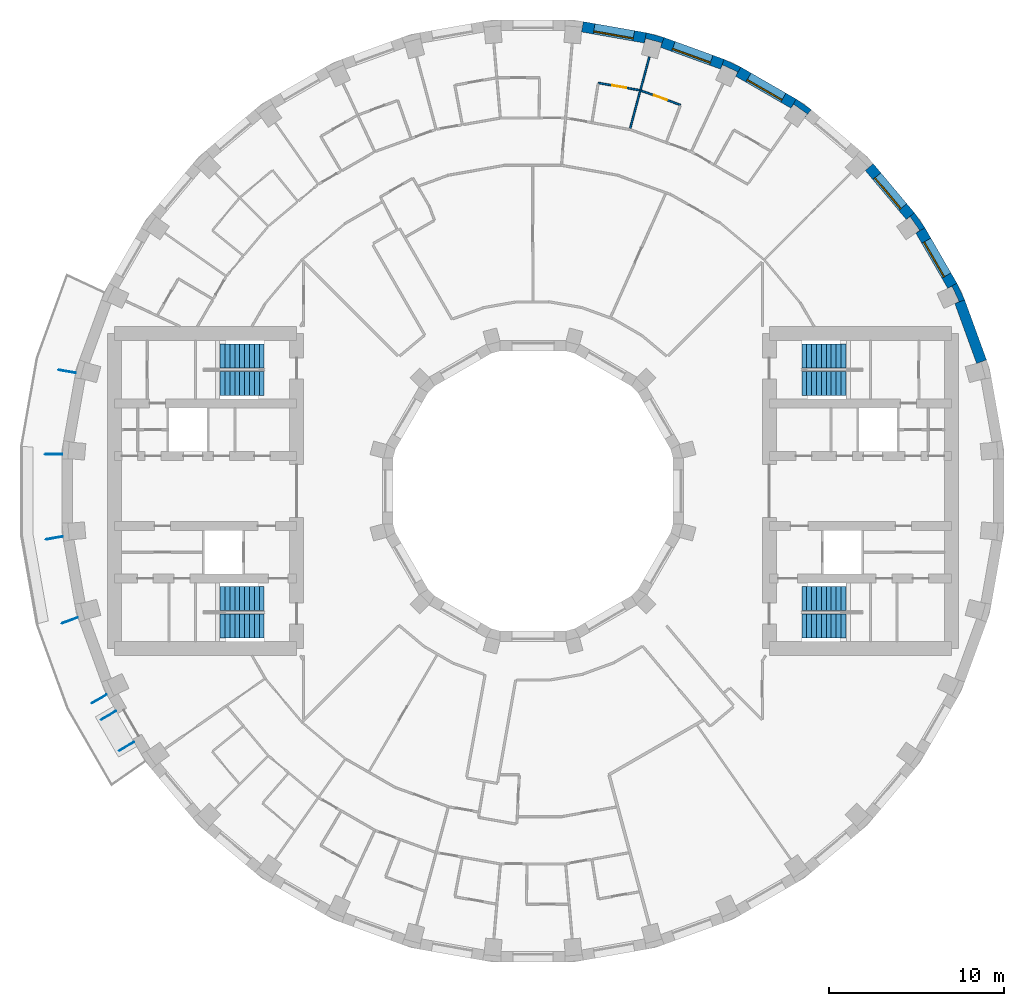
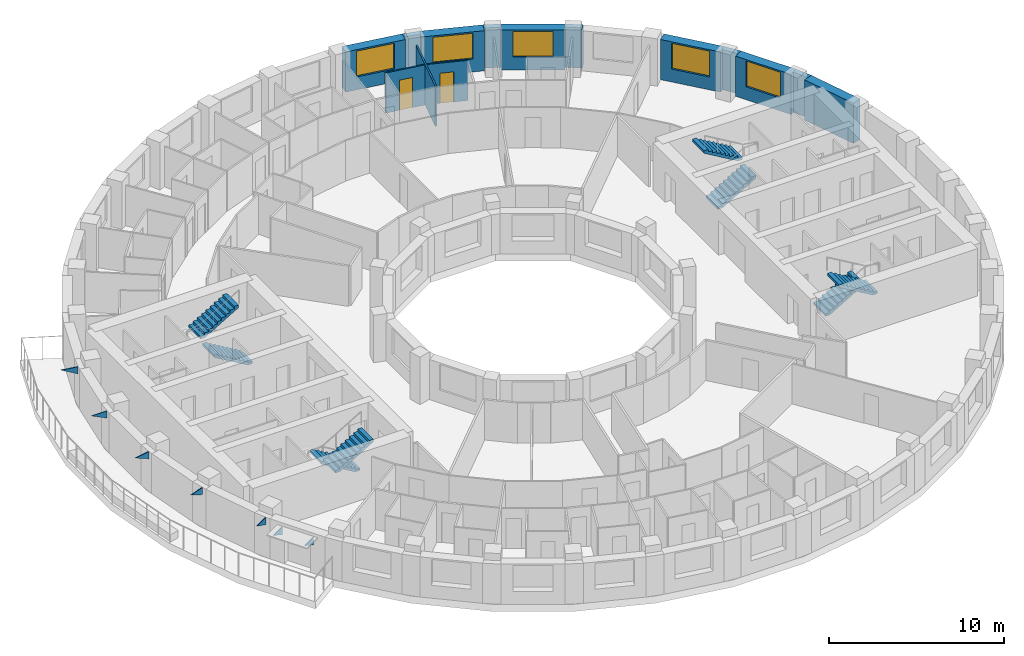
# One storey, part 11 of 12: 14 walls, 8 stair flights, 7 discrete accessories, 5 windows, 2 doors, 7 openings, 4 elements without a shape of their own.
"""IFC4 building model written with IfcOpenShell, lengths in metres."""

import ifcopenshell
import ifcopenshell.guid

model = None  # the IFC model being written
_history = None  # IfcOwnerHistory: only IFC2X3 demands one
_inside = {}  # id of a spatial element -> (the spatial element, [elements in it])
_under = {}  # id of a project, library or spatial element -> (it, [spatial elements below it])
_declared = {}  # id of a project -> (the project, [libraries it declares])
_typed = {}  # id of a type object -> (the type object, [elements of that type])
_made_of = {}  # id of a material, layer set ... -> (it, [elements and type objects made of it])


def new_model(schema):
    """Start an empty IFC model of exactly this schema.

    Asked for "IFC4X3", IfcOpenShell would pick the latest addendum, in which some entities
    have other attributes; the version numbers below select the first issue.
    IFC2X3 requires an IfcOwnerHistory on every rooted entity: one is made here for all.
    """
    global model, _history
    if schema == "IFC4X3":
        model = ifcopenshell.file(schema_version=(4, 3, 0, 0))
    else:
        model = ifcopenshell.file(schema=schema)
    _inside.clear()
    _under.clear()
    _declared.clear()
    _typed.clear()
    _made_of.clear()
    _history = None
    if model.schema == "IFC2X3":
        org = make("IfcOrganization", Name="unknown")
        user = make(
            "IfcPersonAndOrganization",
            ThePerson=make("IfcPerson", FamilyName="unknown"),
            TheOrganization=org,
        )
        app = make(
            "IfcApplication",
            ApplicationDeveloper=org,
            Version="unknown",
            ApplicationFullName="unknown",
            ApplicationIdentifier="unknown",
        )
        _history = make(
            "IfcOwnerHistory",
            OwningUser=user,
            OwningApplication=app,
            ChangeAction="ADDED",
            CreationDate=0,
        )
    return model


def make(cls, **values):
    """One entity of the class cls with the attributes given. An attribute that is None is left unset."""
    return model.create_entity(
        cls, **{name: value for name, value in values.items() if value is not None}
    )


def rooted(cls, **values):
    """An entity with a GlobalId (a new one), such as an element, a storey or a relation."""
    return make(cls, GlobalId=ifcopenshell.guid.new(), OwnerHistory=_history, **values)


def si_unit(unit_type, name, prefix=None):
    """IfcSIUnit, for example si_unit("LENGTHUNIT", "METRE", prefix="MILLI")."""
    return make("IfcSIUnit", UnitType=unit_type, Prefix=prefix, Name=name)


def assignment(units):
    """IfcUnitAssignment: the units of a project."""
    return None if units is None else make("IfcUnitAssignment", Units=units)


def point(xyz):
    """IfcCartesianPoint."""
    return None if xyz is None else make("IfcCartesianPoint", Coordinates=xyz)


def direction(xyz):
    """IfcDirection."""
    return None if xyz is None else make("IfcDirection", DirectionRatios=xyz)


def frame(location, z_axis=None, x_axis=None):
    """IfcAxis2Placement3D, a coordinate frame: its origin and axes. An axis left out is left unset."""
    return make(
        "IfcAxis2Placement3D",
        Location=point(location),
        Axis=direction(z_axis),
        RefDirection=direction(x_axis),
    )


def frame_2d(location, x_axis=None):
    """IfcAxis2Placement2D, a coordinate frame in the plane: its origin and x axis."""
    return make(
        "IfcAxis2Placement2D", Location=point(location), RefDirection=direction(x_axis)
    )


def origin():
    """The frame at (0, 0, 0) with its axes left unset."""
    return frame((0.0, 0.0, 0.0))


def place(relative_to, where):
    """IfcLocalPlacement: puts the frame where relative to a parent placement (None: the world)."""
    return make(
        "IfcLocalPlacement", PlacementRelTo=relative_to, RelativePlacement=where
    )


def context(
    kind, dimensions, precision=None, world=None, true_north=None, identifier=None
):
    """IfcGeometricRepresentationContext, for example the 3D "Model" context."""
    return make(
        "IfcGeometricRepresentationContext",
        ContextIdentifier=identifier,
        ContextType=kind,
        CoordinateSpaceDimension=dimensions,
        Precision=precision,
        WorldCoordinateSystem=world,
        TrueNorth=true_north,
    )


def subcontext(parent, identifier, kind, view, scale=None):
    """IfcGeometricRepresentationSubContext, for example "Body" below "Model"."""
    return make(
        "IfcGeometricRepresentationSubContext",
        ContextIdentifier=identifier,
        ContextType=kind,
        ParentContext=parent,
        TargetScale=scale,
        TargetView=view,
    )


def project(units=None, contexts=None):
    """IfcProject with its units and contexts."""
    return rooted(
        "IfcProject",
        Name="project",
        RepresentationContexts=contexts,
        UnitsInContext=assignment(units),
    )


def spatial(cls, under=None, at=None, **own):
    """A site, building, storey or space (cls), placed at a placement, below another one or the project."""
    s = rooted(cls, ObjectPlacement=at, **own)
    if under is not None:
        _under.setdefault(under.id(), (under, []))[1].append(s)
    return s


def polyline(points):
    """IfcPolyline through the points."""
    return make("IfcPolyline", Points=[point(p) for p in points])


def profile(cls, at=None, kind="AREA", **sizes):
    """A parametric profile (cls). Its sizes go by their IFC names, for example OverallWidth=200.0."""
    return make(cls, ProfileType=kind, Position=at, **sizes)


def rectangle(**sizes):
    """IfcRectangleProfileDef."""
    return profile("IfcRectangleProfileDef", **sizes)


def outline(outer, holes=None, kind="AREA"):
    """IfcArbitraryClosedProfileDef: a profile drawn as a closed curve; with holes, ...WithVoids."""
    if holes is None:
        return make("IfcArbitraryClosedProfileDef", ProfileType=kind, OuterCurve=outer)
    return make(
        "IfcArbitraryProfileDefWithVoids",
        ProfileType=kind,
        OuterCurve=outer,
        InnerCurves=holes,
    )


def extrude(swept, where, along, depth):
    """IfcExtrudedAreaSolid: the profile swept, set in the frame where, extruded along a direction by depth."""
    return make(
        "IfcExtrudedAreaSolid",
        SweptArea=swept,
        Position=where,
        ExtrudedDirection=direction(along),
        Depth=depth,
    )


def shape(context_of_items, identifier, shape_type, items):
    """IfcShapeRepresentation: the items that make up one representation, for example the "Body"."""
    return make(
        "IfcShapeRepresentation",
        ContextOfItems=context_of_items,
        RepresentationIdentifier=identifier,
        RepresentationType=shape_type,
        Items=items,
    )


def material(Name=None, Category=None):
    """IfcMaterial."""
    return make("IfcMaterial", Name=Name, Category=Category)


def layer(
    of_material, thickness, ventilated=None, Name=None, Category=None, Priority=None
):
    """IfcMaterialLayer: one layer of a wall or slab, of a material (None: an air gap)."""
    return make(
        "IfcMaterialLayer",
        Material=of_material,
        LayerThickness=thickness,
        IsVentilated=ventilated,
        Name=Name,
        Category=Category,
        Priority=Priority,
    )


def layer_set(layers, Name=None):
    """IfcMaterialLayerSet."""
    return make("IfcMaterialLayerSet", MaterialLayers=layers, LayerSetName=Name)


def made_of(thing, what):
    """Note that an element or type object is made of a material, layer set ...; save() writes the relation."""
    if what is not None:
        _made_of.setdefault(what.id(), (what, []))[1].append(thing)
    return thing


def type_object(cls, material=None, **own):
    """A type object (cls), such as IfcWallType, which elements share."""
    return made_of(rooted(cls, **own), material)


def element(
    cls,
    number,
    at=None,
    inside=None,
    cuts=None,
    type_object=None,
    material=None,
    context=None,
    identifier="Body",
    shape_type=None,
    held_by="IfcProductDefinitionShape",
    body=None,
    shapes=None,
    **own,
):
    """One element of the class cls, such as IfcWall. Its Tag is "e" and its number.

    at: its placement. inside: the storey or other place that contains it. cuts: it is an
    opening in that element (IfcRelVoidsElement). A single representation is given by context,
    identifier, shape_type and body (its items); several are given by shapes. held_by: the class
    of the entity that holds the representations. save() writes the other relations.
    """
    e = rooted(cls, Tag="e%d" % number, ObjectPlacement=at, **own)
    if body is not None:
        shapes = [shape(context, identifier, shape_type, body)]
    if shapes is not None:
        e.Representation = make(held_by, Representations=shapes)
    if inside is not None:
        _inside.setdefault(inside.id(), (inside, []))[1].append(e)
    if cuts is not None:
        rooted(
            "IfcRelVoidsElement", RelatingBuildingElement=cuts, RelatedOpeningElement=e
        )
    if type_object is not None:
        _typed.setdefault(type_object.id(), (type_object, []))[1].append(e)
    return made_of(e, material)


def fill(opening, filler):
    """IfcRelFillsElement: the door or window that sits in an opening."""
    return rooted(
        "IfcRelFillsElement",
        RelatingOpeningElement=opening,
        RelatedBuildingElement=filler,
    )


def aggregate(whole, parts):
    """IfcRelAggregates: a whole, such as a stair, and the parts it consists of."""
    return rooted("IfcRelAggregates", RelatingObject=whole, RelatedObjects=parts)


def save(model, path):
    """Write the relations noted so far, then the file.

    IfcRelAggregates (storeys below a building ...), IfcRelContainedInSpatialStructure (elements
    in a storey), IfcRelDefinesByType, IfcRelAssociatesMaterial and IfcRelDeclares: one each for
    every whole, place, type object, material and project.
    """
    for whole, parts in _under.values():
        aggregate(whole, parts)
    for where, things in _inside.values():
        rooted(
            "IfcRelContainedInSpatialStructure",
            RelatedElements=things,
            RelatingStructure=where,
        )
    for kind, things in _typed.values():
        rooted("IfcRelDefinesByType", RelatedObjects=things, RelatingType=kind)
    for what, things in _made_of.values():
        rooted("IfcRelAssociatesMaterial", RelatedObjects=things, RelatingMaterial=what)
    for by, libraries in _declared.values():
        rooted("IfcRelDeclares", RelatingContext=by, RelatedDefinitions=libraries)
    model.write(path)


model = new_model("IFC4")

# Units and contexts
model_context = context("Model", 3, precision=1e-05, world=origin(), true_north=direction((0.0, 1.0)))
body_context = subcontext(model_context, "Body", "Model", "MODEL_VIEW")
ifc_project = project(units=[si_unit("LENGTHUNIT", "METRE"), si_unit("AREAUNIT", "SQUARE_METRE"), si_unit("VOLUMEUNIT", "CUBIC_METRE"), si_unit("PLANEANGLEUNIT", "RADIAN"), si_unit("MASSUNIT", "GRAM", prefix="KILO")], contexts=[model_context])

# Site, building, storey
site_placement = place(None, origin())
site = spatial("IfcSite", under=ifc_project, at=site_placement, CompositionType="ELEMENT")
building_placement = place(site_placement, origin())
building = spatial("IfcBuilding", under=site, at=building_placement, Name="Saqina Gate Tower", CompositionType="ELEMENT")
storey_placement = place(building_placement, frame((0.0, 0.0, 111.699951171875)))
storey = spatial("IfcBuildingStorey", under=building, at=storey_placement, Name="L31", CompositionType="ELEMENT", Elevation=111.699951171875)

# Walls
ifc_material_1 = material(Name="Brick masonry (buff)", Category="masonry")
wall_type_1 = type_object("IfcWallType", Name="BRICK PIER COPING BUFF", PredefinedType="SOLIDWALL", material=ifc_material_1)
wall_1_placement = place(storey_placement, origin())
element("IfcWall", 1, at=wall_1_placement, inside=storey, type_object=wall_type_1, Name="Pier cap L31 column 3", PredefinedType="SOLIDWALL", context=body_context, shape_type="SweptSolid", body=[
    extrude(outline(polyline([(24.6513671875, 10.913330078125), (24.205810546875, 11.869140625), (23.68603515625, 11.569091796875), (23.9296875, 11.6826171875), (24.331298828125, 10.82177734375), (24.08740234375, 10.7080078125), (24.6513671875, 10.913330078125)])), origin(), (0.0, 0.0, 1.0), 2.800048828125),
])
wall_2_placement = place(storey_placement, origin())
element("IfcWall", 2, at=wall_2_placement, inside=storey, type_object=wall_type_1, Name="Pier cap L31 column 4", PredefinedType="SOLIDWALL", context=body_context, shape_type="SweptSolid", body=[
    extrude(outline(polyline([(21.77685546875, 15.89208984375), (21.317138671875, 15.50634765625), (21.53759765625, 15.66064453125), (22.08251953125, 14.88232421875), (21.862060546875, 14.728271484375), (22.3818359375, 15.0283203125), (21.77685546875, 15.89208984375)])), origin(), (0.0, 0.0, 1.0), 2.800048828125),
])
wall_3_placement = place(storey_placement, origin())
element("IfcWall", 3, at=wall_3_placement, inside=storey, type_object=wall_type_1, Name="Pier cap L31 column 6", PredefinedType="SOLIDWALL", context=body_context, shape_type="SweptSolid", body=[
    extrude(outline(polyline([(15.0283203125, 22.3818359375), (14.728271484375, 21.862060546875), (14.88232421875, 22.08251953125), (15.66064453125, 21.53759765625), (15.50634765625, 21.317138671875), (15.89208984375, 21.77685546875), (15.0283203125, 22.3818359375)])), origin(), (0.0, 0.0, 1.0), 2.800048828125),
])
wall_4_placement = place(storey_placement, origin())
element("IfcWall", 4, at=wall_4_placement, inside=storey, type_object=wall_type_1, Name="Pier cap L31 column 7", PredefinedType="SOLIDWALL", context=body_context, shape_type="SweptSolid", body=[
    extrude(outline(polyline([(10.913330078125, 24.6513671875), (10.7080078125, 24.08740234375), (10.82177734375, 24.331298828125), (11.6826171875, 23.9296875), (11.569091796875, 23.68603515625), (11.869140625, 24.205810546875), (10.913330078125, 24.6513671875)])), origin(), (0.0, 0.0, 1.0), 2.800048828125),
])
wall_5_placement = place(storey_placement, origin())
element("IfcWall", 5, at=wall_5_placement, inside=storey, type_object=wall_type_1, Name="Pier cap L31 column 8", PredefinedType="SOLIDWALL", context=body_context, shape_type="SweptSolid", body=[
    extrude(outline(polyline([(7.485595703125, 25.89892578125), (6.466796875, 26.171875), (6.36279296875, 25.5810546875), (6.43212890625, 25.8408203125), (7.349853515625, 25.5947265625), (7.2802734375, 25.335205078125), (7.485595703125, 25.89892578125)])), origin(), (0.0, 0.0, 1.0), 2.800048828125),
])

# Wall, opening, window
ifc_material_2 = material(Name="Brick masonry (buff)", Category="masonry")
ifc_layer_1 = layer(ifc_material_2, 0.60009765625)
ifc_layer_set_1 = layer_set([ifc_layer_1], Name="FW-BRICK-BUFF")
wall_type_2 = type_object("IfcWallType", Name="FW-BRICK-BUFF", PredefinedType="SOLIDWALL", material=ifc_layer_set_1)
wall_6_placement = place(storey_placement, frame((23.94580078125, 11.718994140625, 0.0), z_axis=(0.0, 0.0, 1.0), x_axis=(-0.499954196102, 0.866051847062, 0.0)))
wall_6 = element("IfcWall", 6, at=wall_6_placement, inside=storey, type_object=wall_type_2, Name="Facade wall L31 facet 3", PredefinedType="SOLIDWALL", context=body_context, shape_type="SweptSolid", body=[
    extrude(rectangle(XDim=3.647705078125, YDim=0.60009765625, at=frame_2d((1.82373046875, 0.0))), origin(), (0.0, 0.0, 1.0), 2.800048828125),
])
opening_1_placement = place(wall_6_placement, frame((0.673828125, 0.0, 0.89990234375)))
opening_1 = element("IfcOpeningElement", 7, at=opening_1_placement, cuts=wall_6, Name="Opening G09-W01", PredefinedType="OPENING", context=body_context, shape_type="SweptSolid", body=[
    extrude(rectangle(XDim=2.300048828125, YDim=1.800048828125, at=frame_2d((1.14990234375, 0.89990234375))), frame((0.0, 0.31201171875, 0.0), z_axis=(0.0, -1.0, 0.0), x_axis=(1.0, 0.0, 0.0)), (0.0, 0.0, 1.0), 0.6240234375),
])
ifc_material_3 = material(Name="Aluminium glazing", Category="aluminium")
window_type = type_object("IfcWindowType", Name="WN-B", PartitioningType="SINGLE_PANEL", PredefinedType="WINDOW", material=ifc_material_3)
window_1_placement = place(opening_1_placement, origin())
window_1 = element("IfcWindow", 8, at=window_1_placement, inside=storey, type_object=window_type, Name="Window L31 facet 3", OverallHeight=1.800048828125, OverallWidth=2.300048828125, PartitioningType="SINGLE_PANEL", PredefinedType="WINDOW", context=body_context, shape_type="SweptSolid", body=[
    extrude(rectangle(XDim=2.300048828125, YDim=1.800048828125, at=frame_2d((1.14990234375, 0.89990234375))), frame((0.0, 0.179931640625, 0.0), z_axis=(0.0, -1.0, 0.0), x_axis=(1.0, 0.0, 0.0)), (0.0, 0.0, 1.0), 0.06005859375),
])
fill(opening_1, window_1)

wall_7_placement = place(storey_placement, frame((21.547119140625, 15.69921875, 0.0), z_axis=(0.0, 0.0, 1.0), x_axis=(-0.642774476932, 0.766055462616, 0.0)))
wall_7 = element("IfcWall", 9, at=wall_7_placement, inside=storey, type_object=wall_type_2, Name="Facade wall L31 facet 4", PredefinedType="SOLIDWALL", context=body_context, shape_type="SweptSolid", body=[
    extrude(rectangle(XDim=3.647705078125, YDim=0.60009765625, at=frame_2d((1.82373046875, 0.0))), origin(), (0.0, 0.0, 1.0), 2.800048828125),
])
opening_2_placement = place(wall_7_placement, frame((0.673828125, 0.0, 0.89990234375)))
opening_2 = element("IfcOpeningElement", 10, at=opening_2_placement, cuts=wall_7, Name="Opening G09-W02", PredefinedType="OPENING", context=body_context, shape_type="SweptSolid", body=[
    extrude(rectangle(XDim=2.300048828125, YDim=1.800048828125, at=frame_2d((1.14990234375, 0.89990234375))), frame((0.0, 0.31201171875, 0.0), z_axis=(0.0, -1.0, 0.0), x_axis=(1.0, 0.0, 0.0)), (0.0, 0.0, 1.0), 0.6240234375),
])
window_2_placement = place(opening_2_placement, origin())
window_2 = element("IfcWindow", 11, at=window_2_placement, inside=storey, type_object=window_type, Name="Window L31 facet 4", OverallHeight=1.800048828125, OverallWidth=2.300048828125, PartitioningType="SINGLE_PANEL", PredefinedType="WINDOW", context=body_context, shape_type="SweptSolid", body=[
    extrude(rectangle(XDim=2.300048828125, YDim=1.800048828125, at=frame_2d((1.14990234375, 0.89990234375))), frame((0.0, 0.179931640625, 0.0), z_axis=(0.0, -1.0, 0.0), x_axis=(1.0, 0.0, 0.0)), (0.0, 0.0, 1.0), 0.06005859375),
])
fill(opening_2, window_2)

wall_8_placement = place(storey_placement, frame((14.878173828125, 22.1220703125, 0.0), z_axis=(0.0, 0.0, 1.0), x_axis=(-0.866051847062, 0.499954196102, 0.0)))
wall_8 = element("IfcWall", 12, at=wall_8_placement, inside=storey, type_object=wall_type_2, Name="Facade wall L31 facet 6", PredefinedType="SOLIDWALL", context=body_context, shape_type="SweptSolid", body=[
    extrude(rectangle(XDim=3.647705078125, YDim=0.60009765625, at=frame_2d((1.82373046875, 0.0))), origin(), (0.0, 0.0, 1.0), 2.800048828125),
])
opening_3_placement = place(wall_8_placement, frame((0.673828125, 0.0, 0.89990234375)))
opening_3 = element("IfcOpeningElement", 13, at=opening_3_placement, cuts=wall_8, Name="Opening G09-W04", PredefinedType="OPENING", context=body_context, shape_type="SweptSolid", body=[
    extrude(rectangle(XDim=2.300048828125, YDim=1.800048828125, at=frame_2d((1.14990234375, 0.89990234375))), frame((0.0, 0.31201171875, 0.0), z_axis=(0.0, -1.0, 0.0), x_axis=(1.0, 0.0, 0.0)), (0.0, 0.0, 1.0), 0.6240234375),
])
window_3_placement = place(opening_3_placement, origin())
window_3 = element("IfcWindow", 14, at=window_3_placement, inside=storey, type_object=window_type, Name="Window L31 facet 6", OverallHeight=1.800048828125, OverallWidth=2.300048828125, PartitioningType="SINGLE_PANEL", PredefinedType="WINDOW", context=body_context, shape_type="SweptSolid", body=[
    extrude(rectangle(XDim=2.300048828125, YDim=1.800048828125, at=frame_2d((1.14990234375, 0.89990234375))), frame((0.0, 0.179931640625, 0.0), z_axis=(0.0, -1.0, 0.0), x_axis=(1.0, 0.0, 0.0)), (0.0, 0.0, 1.0), 0.06005859375),
])
fill(opening_3, window_3)

wall_9_placement = place(storey_placement, frame((10.810791015625, 24.369384765625, 0.0), z_axis=(0.0, 0.0, 1.0), x_axis=(-0.939703505393, 0.341990236633, 0.0)))
wall_9 = element("IfcWall", 15, at=wall_9_placement, inside=storey, type_object=wall_type_2, Name="Facade wall L31 facet 7", PredefinedType="SOLIDWALL", context=body_context, shape_type="SweptSolid", body=[
    extrude(rectangle(XDim=3.64794921875, YDim=0.60009765625, at=frame_2d((1.823974609375, 0.0))), origin(), (0.0, 0.0, 1.0), 2.800048828125),
])
opening_4_placement = place(wall_9_placement, frame((0.673828125, 0.0, 0.89990234375)))
opening_4 = element("IfcOpeningElement", 16, at=opening_4_placement, cuts=wall_9, Name="Opening G09-W05", PredefinedType="OPENING", context=body_context, shape_type="SweptSolid", body=[
    extrude(rectangle(XDim=2.300048828125, YDim=1.800048828125, at=frame_2d((1.14990234375, 0.89990234375))), frame((0.0, 0.31201171875, 0.0), z_axis=(0.0, -1.0, 0.0), x_axis=(1.0, 0.0, 0.0)), (0.0, 0.0, 1.0), 0.6240234375),
])
window_4_placement = place(opening_4_placement, origin())
window_4 = element("IfcWindow", 17, at=window_4_placement, inside=storey, type_object=window_type, Name="Window L31 facet 7", OverallHeight=1.800048828125, OverallWidth=2.300048828125, PartitioningType="SINGLE_PANEL", PredefinedType="WINDOW", context=body_context, shape_type="SweptSolid", body=[
    extrude(rectangle(XDim=2.300048828125, YDim=1.800048828125, at=frame_2d((1.14990234375, 0.89990234375))), frame((0.0, 0.179931640625, 0.0), z_axis=(0.0, -1.0, 0.0), x_axis=(1.0, 0.0, 0.0)), (0.0, 0.0, 1.0), 0.06005859375),
])
fill(opening_4, window_4)

wall_10_placement = place(storey_placement, frame((6.414794921875, 25.87646484375, 0.0), z_axis=(0.0, 0.0, 1.0), x_axis=(-0.984803764455, 0.173670796382, 0.0)))
wall_10 = element("IfcWall", 18, at=wall_10_placement, inside=storey, type_object=wall_type_2, Name="Facade wall L31 facet 8", PredefinedType="SOLIDWALL", context=body_context, shape_type="SweptSolid", body=[
    extrude(rectangle(XDim=3.64794921875, YDim=0.60009765625, at=frame_2d((1.823974609375, 0.0))), origin(), (0.0, 0.0, 1.0), 2.800048828125),
])
opening_5_placement = place(wall_10_placement, frame((0.673828125, 0.0, 0.89990234375)))
opening_5 = element("IfcOpeningElement", 19, at=opening_5_placement, cuts=wall_10, Name="Opening G09-W06", PredefinedType="OPENING", context=body_context, shape_type="SweptSolid", body=[
    extrude(rectangle(XDim=2.300048828125, YDim=1.800048828125, at=frame_2d((1.14990234375, 0.89990234375))), frame((0.0, 0.31201171875, 0.0), z_axis=(0.0, -1.0, 0.0), x_axis=(1.0, 0.0, 0.0)), (0.0, 0.0, 1.0), 0.6240234375),
])
window_5_placement = place(opening_5_placement, origin())
window_5 = element("IfcWindow", 20, at=window_5_placement, inside=storey, type_object=window_type, Name="Window L31 facet 8", OverallHeight=1.800048828125, OverallWidth=2.300048828125, PartitioningType="SINGLE_PANEL", PredefinedType="WINDOW", context=body_context, shape_type="SweptSolid", body=[
    extrude(rectangle(XDim=2.300048828125, YDim=1.800048828125, at=frame_2d((1.14990234375, 0.89990234375))), frame((0.0, 0.179931640625, 0.0), z_axis=(0.0, -1.0, 0.0), x_axis=(1.0, 0.0, 0.0)), (0.0, 0.0, 1.0), 0.06005859375),
])
fill(opening_5, window_5)

# Wall
ifc_material_4 = material(Name="Glazed ceramic tile", Category="ceramic")
ifc_layer_2 = layer(ifc_material_4, 0.60009765625)
ifc_layer_set_2 = layer_set([ifc_layer_2], Name="FW-TILE")
wall_type_3 = type_object("IfcWallType", Name="FW-TILE", PredefinedType="SOLIDWALL", material=ifc_layer_set_2)
wall_11_placement = place(storey_placement, frame((25.616943359375, 7.3828125, 0.0), z_axis=(0.0, 0.0, 1.0), x_axis=(-0.341990236633, 0.939703505393, 0.0)))
element("IfcWall", 21, at=wall_11_placement, inside=storey, type_object=wall_type_3, Name="Facade wall L31 facet 2", PredefinedType="SOLIDWALL", context=body_context, shape_type="SweptSolid", body=[
    extrude(rectangle(XDim=3.64794921875, YDim=0.60009765625, at=frame_2d((1.823974609375, 0.0))), origin(), (0.0, 0.0, 1.0), 2.800048828125),
])

# Wall, opening, door
ifc_material_5 = material(Name="Gypsum board on steel studs, 100 mm", Category="steel")
ifc_layer_3 = layer(ifc_material_5, 0.10009765625)
ifc_layer_set_3 = layer_set([ifc_layer_3], Name="PARTITION 100")
wall_type_4 = type_object("IfcWallType", Name="PARTITION 100", PredefinedType="PARTITIONING", material=ifc_layer_set_3)
wall_12_placement = place(storey_placement, frame((6.177978515625, 22.86279296875, 0.0), z_axis=(0.0, 0.0, 1.0), x_axis=(0.93973977618, -0.341890557146, 0.0)))
wall_12 = element("IfcWall", 22, at=wall_12_placement, inside=storey, type_object=wall_type_4, Name="PARTITION PW3-43", PredefinedType="PARTITIONING", context=body_context, shape_type="SweptSolid", body=[
    extrude(rectangle(XDim=2.39208984375, YDim=0.10009765625, at=frame_2d((1.196044921875, 0.0))), origin(), (0.0, 0.0, 1.0), 2.800048828125),
])
opening_6_placement = place(wall_12_placement, frame((0.77099609375, 0.0, 0.0)))
opening_6 = element("IfcOpeningElement", 23, at=opening_6_placement, cuts=wall_12, Name="Opening G09-D07", PredefinedType="OPENING", context=body_context, shape_type="SweptSolid", body=[
    extrude(rectangle(XDim=0.800048828125, YDim=2.10009765625, at=frame_2d((0.39990234375, 1.050048828125))), frame((0.0, 0.06201171875, 0.0), z_axis=(0.0, -1.0, 0.0), x_axis=(1.0, 0.0, 0.0)), (0.0, 0.0, 1.0), 0.1240234375),
])
ifc_material_6 = material(Name="Timber door leaf, 800 mm", Category="wood")
door_type = type_object("IfcDoorType", Name="DOOR 800 TIMBER", OperationType="SINGLE_SWING_LEFT", PredefinedType="DOOR", material=ifc_material_6)
door_1_placement = place(opening_6_placement, origin())
door_1 = element("IfcDoor", 24, at=door_1_placement, inside=storey, type_object=door_type, Name="DOOR G09-D07", OperationType="SINGLE_SWING_LEFT", OverallHeight=2.10009765625, OverallWidth=0.800048828125, PredefinedType="DOOR", context=body_context, shape_type="SweptSolid", body=[
    extrude(rectangle(XDim=0.800048828125, YDim=2.10009765625, at=frame_2d((0.39990234375, 1.050048828125))), frame((0.0, 0.02490234375, 0.0), z_axis=(0.0, -1.0, 0.0), x_axis=(1.0, 0.0, 0.0)), (0.0, 0.0, 1.0), 0.050048828125),
])
fill(opening_6, door_1)

wall_13_placement = place(storey_placement, frame((3.72509765625, 23.303955078125, 0.0), z_axis=(0.0, 0.0, 1.0), x_axis=(0.984826665662, -0.173540884522, 0.0)))
wall_13 = element("IfcWall", 25, at=wall_13_placement, inside=storey, type_object=wall_type_4, Name="PARTITION PW3-50", PredefinedType="PARTITIONING", context=body_context, shape_type="SweptSolid", body=[
    extrude(rectangle(XDim=2.39306640625, YDim=0.10009765625, at=frame_2d((1.196533203125, 0.0))), origin(), (0.0, 0.0, 1.0), 2.800048828125),
])
opening_7_placement = place(wall_13_placement, frame((0.821533203125, 0.0, 0.0)))
opening_7 = element("IfcOpeningElement", 26, at=opening_7_placement, cuts=wall_13, Name="Opening G09-D08", PredefinedType="OPENING", context=body_context, shape_type="SweptSolid", body=[
    extrude(rectangle(XDim=0.800048828125, YDim=2.10009765625, at=frame_2d((0.39990234375, 1.050048828125))), frame((0.0, 0.06201171875, 0.0), z_axis=(0.0, -1.0, 0.0), x_axis=(1.0, 0.0, 0.0)), (0.0, 0.0, 1.0), 0.1240234375),
])
door_2_placement = place(opening_7_placement, origin())
door_2 = element("IfcDoor", 27, at=door_2_placement, inside=storey, type_object=door_type, Name="DOOR G09-D08", OperationType="SINGLE_SWING_RIGHT", OverallHeight=2.10009765625, OverallWidth=0.800048828125, PredefinedType="DOOR", context=body_context, shape_type="SweptSolid", body=[
    extrude(rectangle(XDim=0.800048828125, YDim=2.10009765625, at=frame_2d((0.39990234375, 1.050048828125))), frame((0.0, 0.02490234375, 0.0), z_axis=(0.0, -1.0, 0.0), x_axis=(1.0, 0.0, 0.0)), (0.0, 0.0, 1.0), 0.050048828125),
])
fill(opening_7, door_2)

# Wall
wall_14_placement = place(storey_placement, frame((5.547119140625, 20.697998046875, 0.0), z_axis=(0.0, 0.0, 1.0), x_axis=(0.258516199654, 0.966006922603, 0.0)))
element("IfcWall", 28, at=wall_14_placement, inside=storey, type_object=wall_type_4, Name="PARTITION PW3-99", PredefinedType="PARTITIONING", context=body_context, shape_type="SweptSolid", body=[
    extrude(rectangle(XDim=4.236572265625, YDim=0.10009765625, at=frame_2d((2.1181640625, 0.0))), origin(), (0.0, 0.0, 1.0), 2.800048828125),
])

# Stair, stair flights
ifc_material_7 = material(Name="Concrete C40/50", Category="concrete")
stair_type = type_object("IfcStairType", Name="EXIT STAIR", PredefinedType="HALF_TURN_STAIR", material=ifc_material_7)
stair_1_placement = place(storey_placement, origin())
stair_1 = element("IfcStair", 29, at=stair_1_placement, inside=storey, type_object=stair_type, Name="EXIT STAIR 1", PredefinedType="HALF_TURN_STAIR")
ifc_material_8 = material(Name="Concrete C40/50", Category="concrete")
stair_flight_type = type_object("IfcStairFlightType", Name="EXIT STAIR FLIGHT", PredefinedType="STRAIGHT", material=ifc_material_8)
stair_flight_1_placement = place(storey_placement, frame((15.35009765625, 6.1416015625, 0.0), z_axis=(0.0, 0.0, 1.0), x_axis=(1.0, 0.0, 0.0)))
stair_flight_1 = element("IfcStairFlight", 30, at=stair_flight_1_placement, type_object=stair_flight_type, Name="EXIT STAIR 1 FLIGHT 1", NumberOfRisers=10, NumberOfTreads=9, PredefinedType="STRAIGHT", RiserHeight=0.165, TreadLength=0.28, context=body_context, shape_type="SweptSolid", body=[
    extrude(outline(polyline([(0.0, 0.0), (0.0, 0.1650390625), (0.280029296875, 0.1650390625), (0.280029296875, 0.330078125), (0.56005859375, 0.330078125), (0.56005859375, 0.4951171875), (0.840087890625, 0.4951171875), (0.840087890625, 0.659912109375), (1.1201171875, 0.659912109375), (1.1201171875, 0.824951171875), (1.39990234375, 0.824951171875), (1.39990234375, 0.989990234375), (1.679931640625, 0.989990234375), (1.679931640625, 1.155029296875), (1.9599609375, 1.155029296875), (1.9599609375, 1.320068359375), (2.239990234375, 1.320068359375), (2.239990234375, 1.485107421875), (2.52001953125, 1.485107421875), (2.52001953125, 1.64990234375), (2.52001953125, 1.31103515625), (0.295166015625, 0.0), (0.0, 0.0)])), frame((0.0, 0.675048828125, 0.0), z_axis=(0.0, -1.0, 0.0), x_axis=(1.0, 0.0, 0.0)), (0.0, 0.0, 1.0), 1.35009765625),
])
stair_flight_2_placement = place(storey_placement, frame((17.8701171875, 7.708251953125, 1.650146484375), z_axis=(0.0, 0.0, 1.0), x_axis=(-1.0, 0.0, 0.0)))
stair_flight_2 = element("IfcStairFlight", 31, at=stair_flight_2_placement, type_object=stair_flight_type, Name="EXIT STAIR 1 FLIGHT 2", NumberOfRisers=10, NumberOfTreads=9, PredefinedType="STRAIGHT", RiserHeight=0.165, TreadLength=0.28, context=body_context, shape_type="SweptSolid", body=[
    extrude(outline(polyline([(0.0, 0.0), (0.0, 0.1650390625), (0.280029296875, 0.1650390625), (0.280029296875, 0.330078125), (0.56005859375, 0.330078125), (0.56005859375, 0.4951171875), (0.840087890625, 0.4951171875), (0.840087890625, 0.659912109375), (1.1201171875, 0.659912109375), (1.1201171875, 0.824951171875), (1.39990234375, 0.824951171875), (1.39990234375, 0.989990234375), (1.679931640625, 0.989990234375), (1.679931640625, 1.155029296875), (1.9599609375, 1.155029296875), (1.9599609375, 1.320068359375), (2.239990234375, 1.320068359375), (2.239990234375, 1.485107421875), (2.52001953125, 1.485107421875), (2.52001953125, 1.64990234375), (2.52001953125, 1.31103515625), (0.295166015625, 0.0), (0.0, 0.0)])), frame((0.0, 0.675048828125, 0.0), z_axis=(0.0, -1.0, 0.0), x_axis=(1.0, 0.0, 0.0)), (0.0, 0.0, 1.0), 1.35009765625),
])
aggregate(stair_1, [stair_flight_1, stair_flight_2])

stair_2_placement = place(storey_placement, origin())
stair_2 = element("IfcStair", 32, at=stair_2_placement, inside=storey, type_object=stair_type, Name="EXIT STAIR 2", PredefinedType="HALF_TURN_STAIR")
stair_flight_3_placement = place(storey_placement, frame((15.35009765625, -6.1416015625, 0.0), z_axis=(0.0, 0.0, 1.0), x_axis=(1.0, 0.0, 0.0)))
stair_flight_3 = element("IfcStairFlight", 33, at=stair_flight_3_placement, type_object=stair_flight_type, Name="EXIT STAIR 2 FLIGHT 1", NumberOfRisers=10, NumberOfTreads=9, PredefinedType="STRAIGHT", RiserHeight=0.165, TreadLength=0.28, context=body_context, shape_type="SweptSolid", body=[
    extrude(outline(polyline([(0.0, 0.0), (0.0, 0.1650390625), (0.280029296875, 0.1650390625), (0.280029296875, 0.330078125), (0.56005859375, 0.330078125), (0.56005859375, 0.4951171875), (0.840087890625, 0.4951171875), (0.840087890625, 0.659912109375), (1.1201171875, 0.659912109375), (1.1201171875, 0.824951171875), (1.39990234375, 0.824951171875), (1.39990234375, 0.989990234375), (1.679931640625, 0.989990234375), (1.679931640625, 1.155029296875), (1.9599609375, 1.155029296875), (1.9599609375, 1.320068359375), (2.239990234375, 1.320068359375), (2.239990234375, 1.485107421875), (2.52001953125, 1.485107421875), (2.52001953125, 1.64990234375), (2.52001953125, 1.31103515625), (0.295166015625, 0.0), (0.0, 0.0)])), frame((0.0, 0.675048828125, 0.0), z_axis=(0.0, -1.0, 0.0), x_axis=(1.0, 0.0, 0.0)), (0.0, 0.0, 1.0), 1.35009765625),
])
stair_flight_4_placement = place(storey_placement, frame((17.8701171875, -7.708251953125, 1.650146484375), z_axis=(0.0, 0.0, 1.0), x_axis=(-1.0, 0.0, 0.0)))
stair_flight_4 = element("IfcStairFlight", 34, at=stair_flight_4_placement, type_object=stair_flight_type, Name="EXIT STAIR 2 FLIGHT 2", NumberOfRisers=10, NumberOfTreads=9, PredefinedType="STRAIGHT", RiserHeight=0.165, TreadLength=0.28, context=body_context, shape_type="SweptSolid", body=[
    extrude(outline(polyline([(0.0, 0.0), (0.0, 0.1650390625), (0.280029296875, 0.1650390625), (0.280029296875, 0.330078125), (0.56005859375, 0.330078125), (0.56005859375, 0.4951171875), (0.840087890625, 0.4951171875), (0.840087890625, 0.659912109375), (1.1201171875, 0.659912109375), (1.1201171875, 0.824951171875), (1.39990234375, 0.824951171875), (1.39990234375, 0.989990234375), (1.679931640625, 0.989990234375), (1.679931640625, 1.155029296875), (1.9599609375, 1.155029296875), (1.9599609375, 1.320068359375), (2.239990234375, 1.320068359375), (2.239990234375, 1.485107421875), (2.52001953125, 1.485107421875), (2.52001953125, 1.64990234375), (2.52001953125, 1.31103515625), (0.295166015625, 0.0), (0.0, 0.0)])), frame((0.0, 0.675048828125, 0.0), z_axis=(0.0, -1.0, 0.0), x_axis=(1.0, 0.0, 0.0)), (0.0, 0.0, 1.0), 1.35009765625),
])
aggregate(stair_2, [stair_flight_3, stair_flight_4])

stair_3_placement = place(storey_placement, origin())
stair_3 = element("IfcStair", 35, at=stair_3_placement, inside=storey, type_object=stair_type, Name="EXIT STAIR 3", PredefinedType="HALF_TURN_STAIR")
stair_flight_5_placement = place(storey_placement, frame((-15.35009765625, 6.1416015625, 0.0), z_axis=(0.0, 0.0, 1.0), x_axis=(-1.0, 0.0, 0.0)))
stair_flight_5 = element("IfcStairFlight", 36, at=stair_flight_5_placement, type_object=stair_flight_type, Name="EXIT STAIR 3 FLIGHT 1", NumberOfRisers=10, NumberOfTreads=9, PredefinedType="STRAIGHT", RiserHeight=0.165, TreadLength=0.28, context=body_context, shape_type="SweptSolid", body=[
    extrude(outline(polyline([(0.0, 0.0), (0.0, 0.1650390625), (0.280029296875, 0.1650390625), (0.280029296875, 0.330078125), (0.56005859375, 0.330078125), (0.56005859375, 0.4951171875), (0.840087890625, 0.4951171875), (0.840087890625, 0.659912109375), (1.1201171875, 0.659912109375), (1.1201171875, 0.824951171875), (1.39990234375, 0.824951171875), (1.39990234375, 0.989990234375), (1.679931640625, 0.989990234375), (1.679931640625, 1.155029296875), (1.9599609375, 1.155029296875), (1.9599609375, 1.320068359375), (2.239990234375, 1.320068359375), (2.239990234375, 1.485107421875), (2.52001953125, 1.485107421875), (2.52001953125, 1.64990234375), (2.52001953125, 1.31103515625), (0.295166015625, 0.0), (0.0, 0.0)])), frame((0.0, 0.675048828125, 0.0), z_axis=(0.0, -1.0, 0.0), x_axis=(1.0, 0.0, 0.0)), (0.0, 0.0, 1.0), 1.35009765625),
])
stair_flight_6_placement = place(storey_placement, frame((-17.8701171875, 7.708251953125, 1.650146484375), z_axis=(0.0, 0.0, 1.0), x_axis=(1.0, 0.0, 0.0)))
stair_flight_6 = element("IfcStairFlight", 37, at=stair_flight_6_placement, type_object=stair_flight_type, Name="EXIT STAIR 3 FLIGHT 2", NumberOfRisers=10, NumberOfTreads=9, PredefinedType="STRAIGHT", RiserHeight=0.165, TreadLength=0.28, context=body_context, shape_type="SweptSolid", body=[
    extrude(outline(polyline([(0.0, 0.0), (0.0, 0.1650390625), (0.280029296875, 0.1650390625), (0.280029296875, 0.330078125), (0.56005859375, 0.330078125), (0.56005859375, 0.4951171875), (0.840087890625, 0.4951171875), (0.840087890625, 0.659912109375), (1.1201171875, 0.659912109375), (1.1201171875, 0.824951171875), (1.39990234375, 0.824951171875), (1.39990234375, 0.989990234375), (1.679931640625, 0.989990234375), (1.679931640625, 1.155029296875), (1.9599609375, 1.155029296875), (1.9599609375, 1.320068359375), (2.239990234375, 1.320068359375), (2.239990234375, 1.485107421875), (2.52001953125, 1.485107421875), (2.52001953125, 1.64990234375), (2.52001953125, 1.31103515625), (0.295166015625, 0.0), (0.0, 0.0)])), frame((0.0, 0.675048828125, 0.0), z_axis=(0.0, -1.0, 0.0), x_axis=(1.0, 0.0, 0.0)), (0.0, 0.0, 1.0), 1.35009765625),
])
aggregate(stair_3, [stair_flight_5, stair_flight_6])

stair_4_placement = place(storey_placement, origin())
stair_4 = element("IfcStair", 38, at=stair_4_placement, inside=storey, type_object=stair_type, Name="EXIT STAIR 4", PredefinedType="HALF_TURN_STAIR")
stair_flight_7_placement = place(storey_placement, frame((-15.35009765625, -6.1416015625, 0.0), z_axis=(0.0, 0.0, 1.0), x_axis=(-1.0, 0.0, 0.0)))
stair_flight_7 = element("IfcStairFlight", 39, at=stair_flight_7_placement, type_object=stair_flight_type, Name="EXIT STAIR 4 FLIGHT 1", NumberOfRisers=10, NumberOfTreads=9, PredefinedType="STRAIGHT", RiserHeight=0.165, TreadLength=0.28, context=body_context, shape_type="SweptSolid", body=[
    extrude(outline(polyline([(0.0, 0.0), (0.0, 0.1650390625), (0.280029296875, 0.1650390625), (0.280029296875, 0.330078125), (0.56005859375, 0.330078125), (0.56005859375, 0.4951171875), (0.840087890625, 0.4951171875), (0.840087890625, 0.659912109375), (1.1201171875, 0.659912109375), (1.1201171875, 0.824951171875), (1.39990234375, 0.824951171875), (1.39990234375, 0.989990234375), (1.679931640625, 0.989990234375), (1.679931640625, 1.155029296875), (1.9599609375, 1.155029296875), (1.9599609375, 1.320068359375), (2.239990234375, 1.320068359375), (2.239990234375, 1.485107421875), (2.52001953125, 1.485107421875), (2.52001953125, 1.64990234375), (2.52001953125, 1.31103515625), (0.295166015625, 0.0), (0.0, 0.0)])), frame((0.0, 0.675048828125, 0.0), z_axis=(0.0, -1.0, 0.0), x_axis=(1.0, 0.0, 0.0)), (0.0, 0.0, 1.0), 1.35009765625),
])
stair_flight_8_placement = place(storey_placement, frame((-17.8701171875, -7.708251953125, 1.650146484375), z_axis=(0.0, 0.0, 1.0), x_axis=(1.0, 0.0, 0.0)))
stair_flight_8 = element("IfcStairFlight", 40, at=stair_flight_8_placement, type_object=stair_flight_type, Name="EXIT STAIR 4 FLIGHT 2", NumberOfRisers=10, NumberOfTreads=9, PredefinedType="STRAIGHT", RiserHeight=0.165, TreadLength=0.28, context=body_context, shape_type="SweptSolid", body=[
    extrude(outline(polyline([(0.0, 0.0), (0.0, 0.1650390625), (0.280029296875, 0.1650390625), (0.280029296875, 0.330078125), (0.56005859375, 0.330078125), (0.56005859375, 0.4951171875), (0.840087890625, 0.4951171875), (0.840087890625, 0.659912109375), (1.1201171875, 0.659912109375), (1.1201171875, 0.824951171875), (1.39990234375, 0.824951171875), (1.39990234375, 0.989990234375), (1.679931640625, 0.989990234375), (1.679931640625, 1.155029296875), (1.9599609375, 1.155029296875), (1.9599609375, 1.320068359375), (2.239990234375, 1.320068359375), (2.239990234375, 1.485107421875), (2.52001953125, 1.485107421875), (2.52001953125, 1.64990234375), (2.52001953125, 1.31103515625), (0.295166015625, 0.0), (0.0, 0.0)])), frame((0.0, 0.675048828125, 0.0), z_axis=(0.0, -1.0, 0.0), x_axis=(1.0, 0.0, 0.0)), (0.0, 0.0, 1.0), 1.35009765625),
])
aggregate(stair_4, [stair_flight_7, stair_flight_8])

# Discrete accessories
ifc_material_9 = material(Name="Galvanised steel", Category="steel")
ifc_layer_4 = layer(ifc_material_9, 0.050048828125)
ifc_layer_set_4 = layer_set([ifc_layer_4], Name="BR-AWNING")
discrete_accessory_type_1 = type_object("IfcDiscreteAccessoryType", Name="BR-AWNING", PredefinedType="BRACKET", material=ifc_layer_set_4)
for number, where, z_axis, x_axis, name in (
    (41, (-23.793212890625, -12.58349609375, 1.97509765625), (0.50002537861, -0.866010750942, 0.0), (0.0, 0.0, 1.0), "Awning bracket L31 facet 21"),
    (42, (-22.769287109375, -14.35693359375, 1.97509765625), (0.50002537861, -0.866010750942, 0.0), (0.0, 0.0, 1.0), "Awning bracket L31 facet 21"),
):
    element("IfcDiscreteAccessory", number, at=place(storey_placement, frame(where, z_axis=z_axis, x_axis=x_axis)), inside=storey, type_object=discrete_accessory_type_1, Name=name, PredefinedType="BRACKET", context=body_context, shape_type="SweptSolid", body=[
        extrude(outline(polyline([(0.0, 0.0), (0.550048828125, 0.0), (0.550048828125, 0.9999492453569568), (0.0, 0.0)])), origin(), (0.0, 0.0, -1.0), 0.050048828125),
    ])
ifc_material_10 = material(Name="Galvanised steel", Category="steel")
ifc_layer_5 = layer(ifc_material_10, 0.050048828125)
ifc_layer_set_5 = layer_set([ifc_layer_5], Name="BR-GUSSET")
discrete_accessory_type_2 = type_object("IfcDiscreteAccessoryType", Name="BR-GUSSET", PredefinedType="BRACKET", material=ifc_layer_set_5)
discrete_accessory_1_placement = place(storey_placement, frame((-26.127685546875, 6.71728515625, 2.300048828125), z_axis=(-0.173576426815, -0.984820401928, 0.0), x_axis=(0.0, 0.0, 1.0)))
element("IfcDiscreteAccessory", 43, at=discrete_accessory_1_placement, inside=storey, type_object=discrete_accessory_type_2, Name="Terrace slab bracket L32 1", PredefinedType="BRACKET", context=body_context, shape_type="SweptSolid", body=[
    extrude(outline(polyline([(0.0, 0.0), (0.5, 0.0), (0.5, 1.000043540245132), (0.0, 0.0)])), origin(), (0.0, 0.0, -1.0), 0.050048828125),
])
discrete_accessory_2_placement = place(storey_placement, frame((-26.897216796875, 2.078125, 2.300048828125), z_axis=(0.0, -1.0, 0.0), x_axis=(0.0, 0.0, 1.0)))
element("IfcDiscreteAccessory", 44, at=discrete_accessory_2_placement, inside=storey, type_object=discrete_accessory_type_2, Name="Terrace slab bracket L32 2", PredefinedType="BRACKET", context=body_context, shape_type="SweptSolid", body=[
    extrude(outline(polyline([(0.0, 0.0), (0.5, 0.0), (0.5, 1.0), (0.0, 0.0)])), origin(), (0.0, 0.0, -1.0), 0.050048828125),
])
discrete_accessory_3_placement = place(storey_placement, frame((-26.849609375, -2.6240234375, 2.300048828125), z_axis=(0.173618168668, -0.984813043937, 0.0), x_axis=(0.0, 0.0, 1.0)))
element("IfcDiscreteAccessory", 45, at=discrete_accessory_3_placement, inside=storey, type_object=discrete_accessory_type_2, Name="Terrace slab bracket L32 3", PredefinedType="BRACKET", context=body_context, shape_type="SweptSolid", body=[
    extrude(outline(polyline([(0.0, 0.0), (0.5, 0.0), (0.5, 0.9998031064747768), (0.0, 0.0)])), origin(), (0.0, 0.0, -1.0), 0.050048828125),
])
discrete_accessory_4_placement = place(storey_placement, frame((-25.98583984375, -7.24658203125, 2.300048828125), z_axis=(0.341821477669, -0.939764905391, 0.0), x_axis=(0.0, 0.0, 1.0)))
element("IfcDiscreteAccessory", 46, at=discrete_accessory_4_placement, inside=storey, type_object=discrete_accessory_type_2, Name="Terrace slab bracket L32 4", PredefinedType="BRACKET", context=body_context, shape_type="SweptSolid", body=[
    extrude(outline(polyline([(0.0, 0.0), (0.5, 0.0), (0.5, 0.999928024801219), (0.0, 0.0)])), origin(), (0.0, 0.0, -1.0), 0.050048828125),
])
discrete_accessory_5_placement = place(storey_placement, frame((-24.332763671875, -11.648681640625, 2.300048828125), z_axis=(0.50002537861, -0.866010750942, 0.0), x_axis=(0.0, 0.0, 1.0)))
element("IfcDiscreteAccessory", 47, at=discrete_accessory_5_placement, inside=storey, type_object=discrete_accessory_type_2, Name="Terrace slab bracket L32 5", PredefinedType="BRACKET", context=body_context, shape_type="SweptSolid", body=[
    extrude(outline(polyline([(0.0, 0.0), (0.5, 0.0), (0.5, 0.9999492453569568), (0.0, 0.0)])), origin(), (0.0, 0.0, -1.0), 0.050048828125),
])

save(model, "model.ifc")
